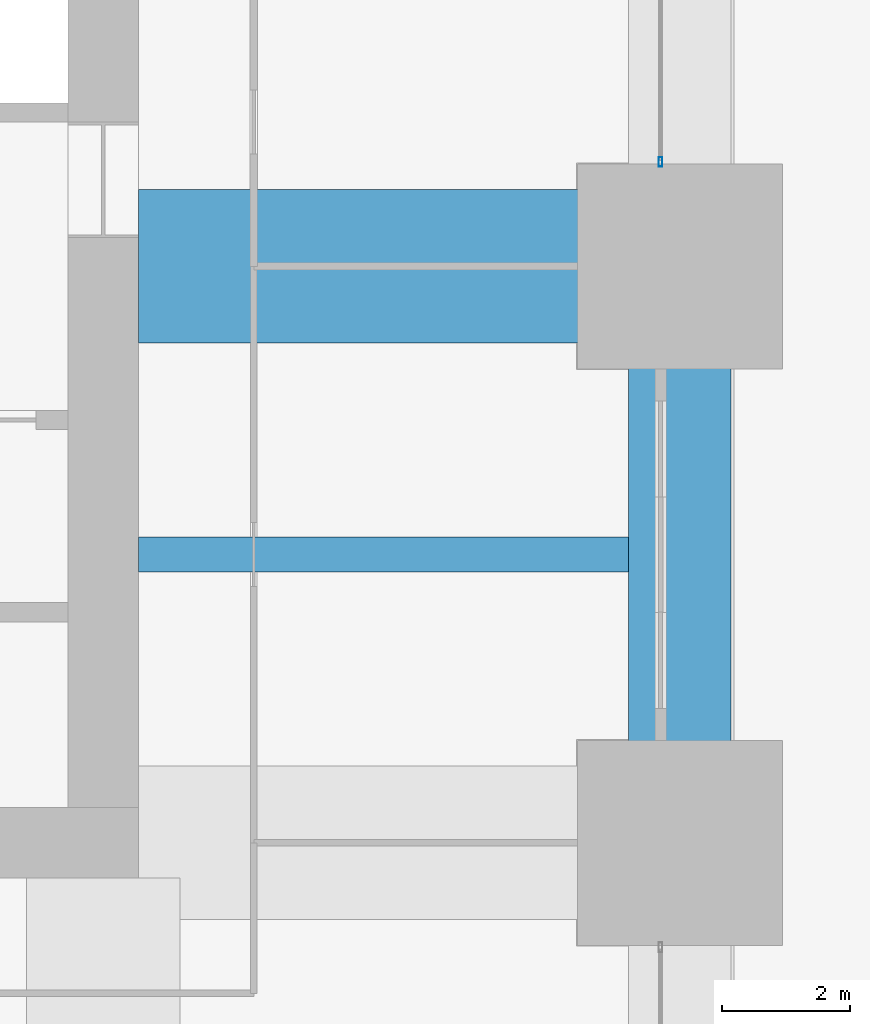
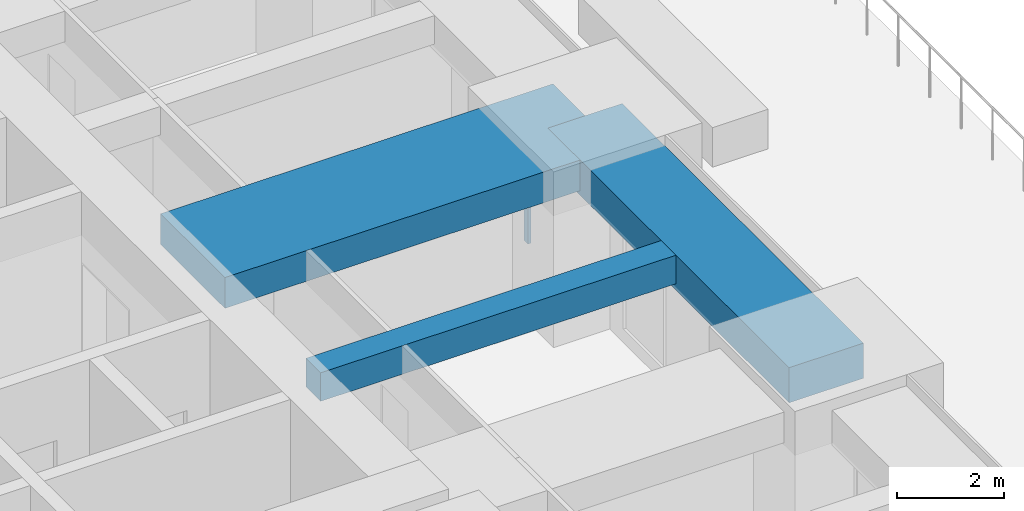
# One storey, part 19 of 35: 3 beams, 1 member, 1 element without a shape of its own.
"""IFC4 building model written with IfcOpenShell, lengths in metres."""

from ifc_helpers import new_model, si_unit, direction, frame, origin, origin_2d, place, context, subcontext, project, spatial, rectangle, hollow_rectangle, extrude, material, material_profile, profile_set, type_object, element, aggregate, save


model = new_model("IFC4")

# Units and contexts
model_context = context("Model", 3, precision=1e-05, world=origin(), true_north=direction((0.0, 1.0)))
body_context = subcontext(model_context, "Body", "Model", "MODEL_VIEW")
ifc_project = project(units=[si_unit("LENGTHUNIT", "METRE"), si_unit("AREAUNIT", "SQUARE_METRE"), si_unit("VOLUMEUNIT", "CUBIC_METRE"), si_unit("PLANEANGLEUNIT", "RADIAN"), si_unit("MASSUNIT", "GRAM", prefix="KILO")], contexts=[model_context])

# Site, building, storey
site_placement = place(None, origin())
site = spatial("IfcSite", under=ifc_project, at=site_placement, CompositionType="ELEMENT")
building_placement = place(site_placement, origin())
building = spatial("IfcBuilding", under=site, at=building_placement, Name="Zorevar Civic Tower", CompositionType="ELEMENT")
storey_placement = place(building_placement, frame((0.0, 0.0, 162.199951171875)))
storey = spatial("IfcBuildingStorey", under=building, at=storey_placement, Name="L39", CompositionType="ELEMENT", Elevation=162.199951171875)

# Beams
ifc_material_1 = material(Name="Concrete C50/60", Category="concrete")
ifc_material_profile_1 = material_profile(ifc_material_1, rectangle(XDim=2.39990234375, YDim=0.699951171875, at=origin_2d()), Name="RC 2400x700")
ifc_profile_set_1 = profile_set([ifc_material_profile_1], Name="Concrete C50/60")
beam_type_1 = type_object("IfcBeamType", Name="Beam RC 2400x700", PredefinedType="BEAM", material=ifc_profile_set_1)
beam_1_placement = place(storey_placement, frame((45.550048828125, 27.0, 3.400146484375), z_axis=(1.0, 0.0, 0.0), x_axis=(0.0, 1.0, 0.0)))
element("IfcBeam", 1, at=beam_1_placement, inside=storey, type_object=beam_type_1, Name="Girder L40", PredefinedType="BEAM", context=body_context, shape_type="SweptSolid", body=[
    extrude(rectangle(XDim=2.39990234375, YDim=0.699951171875, at=origin_2d()), origin(), (0.0, 0.0, 1.0), 8.449951171875),
])
ifc_material_2 = material(Name="Concrete C50/60", Category="concrete")
ifc_material_profile_2 = material_profile(ifc_material_2, rectangle(XDim=0.550048828125, YDim=0.64990234375, at=origin_2d()), Name="RC 550x650")
ifc_profile_set_2 = profile_set([ifc_material_profile_2], Name="Concrete C50/60")
beam_type_2 = type_object("IfcBeamType", Name="Beam RC 550x650", PredefinedType="BEAM", material=ifc_profile_set_2)
beam_2_placement = place(storey_placement, frame((45.550048828125, 22.5, 3.425048828125), z_axis=(1.0, 0.0, 0.0), x_axis=(0.0, 1.0, 0.0)))
element("IfcBeam", 2, at=beam_2_placement, inside=storey, type_object=beam_type_2, Name="Secondary beam L40", PredefinedType="BEAM", context=body_context, shape_type="SweptSolid", body=[
    extrude(rectangle(XDim=0.550048828125, YDim=0.64990234375, at=origin_2d()), origin(), (0.0, 0.0, 1.0), 7.64990234375),
])

# Curtain wall, member
ifc_material_3 = material(Name="Dark grey solar-control glass in black aluminium frame", Category="aluminium")
curtain_wall_type = type_object("IfcCurtainWallType", Name="Curtain wall CW4 high zone", PredefinedType="NOTDEFINED", material=ifc_material_3)
curtain_wall_placement = place(storey_placement, origin())
curtain_wall = element("IfcCurtainWall", 3, at=curtain_wall_placement, inside=storey, type_object=curtain_wall_type, Name="CW4 L39", PredefinedType="NOTDEFINED")
ifc_material_4 = material(Name="Aluminium, black anodised", Category="aluminium")
ifc_material_profile_3 = material_profile(ifc_material_4, hollow_rectangle(XDim=0.06005859375, YDim=0.14990234375, WallThickness=0.00390625, at=origin_2d()), Name="AL 150x60x4")
ifc_profile_set_3 = profile_set([ifc_material_profile_3], Name="Aluminium, black anodised")
member_type = type_object("IfcMemberType", Name="CW4 mullion AL 150x60x4", PredefinedType="MULLION", material=ifc_profile_set_3)
member_placement = place(storey_placement, frame((53.699951171875, 28.6298828125, 0.0), z_axis=(0.0, 0.0, 1.0), x_axis=(-1.0, 0.0, 0.0)))
member = element("IfcMember", 4, at=member_placement, type_object=member_type, Name="CW4 mullion 1", PredefinedType="MULLION", context=body_context, shape_type="SweptSolid", body=[
    extrude(hollow_rectangle(XDim=0.06005859375, YDim=0.14990234375, WallThickness=0.00390625, at=origin_2d()), origin(), (0.0, 0.0, 1.0), 2.949951171875),
])
aggregate(curtain_wall, [member])

# Beam
ifc_material_5 = material(Name="Concrete C50/60", Category="concrete")
ifc_material_profile_4 = material_profile(ifc_material_5, rectangle(XDim=1.60009765625, YDim=0.800048828125, at=origin_2d()), Name="RC 1600x800")
ifc_profile_set_4 = profile_set([ifc_material_profile_4], Name="Concrete C50/60")
beam_type_3 = type_object("IfcBeamType", Name="Edge beam RC 1600x800", PredefinedType="SPANDREL", material=ifc_profile_set_4)
beam_3_placement = place(storey_placement, frame((54.0, 18.0, 3.35009765625), z_axis=(0.0, 1.0, 0.0), x_axis=(-1.0, 0.0, 0.0)))
element("IfcBeam", 5, at=beam_3_placement, inside=storey, type_object=beam_type_3, Name="Edge beam L40", PredefinedType="SPANDREL", context=body_context, shape_type="SweptSolid", body=[
    extrude(rectangle(XDim=1.60009765625, YDim=0.800048828125, at=origin_2d()), origin(), (0.0, 0.0, 1.0), 9.0),
])

save(model, "model.ifc")
